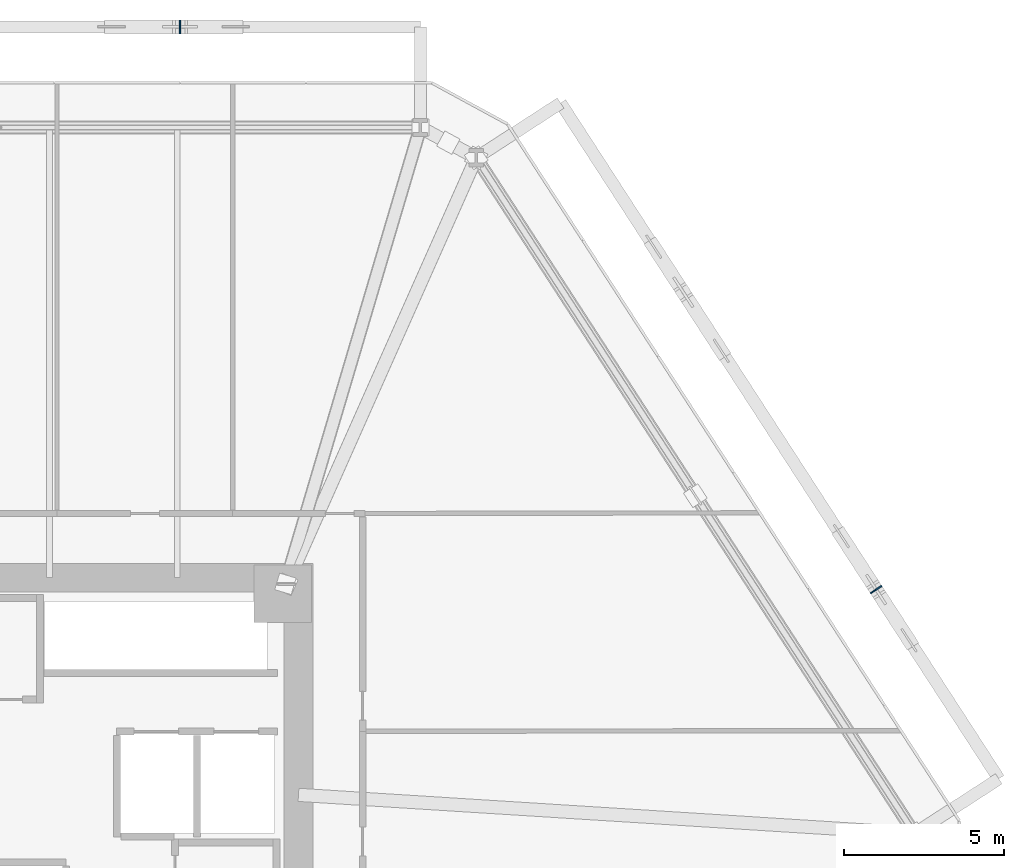
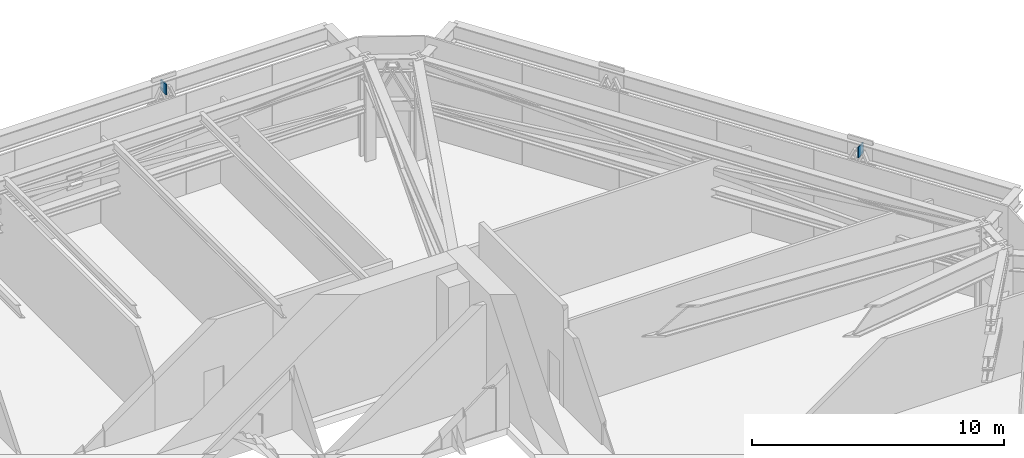
# One storey, part 12 of 16: 2 plates.
"""IFC4 building model written with IfcOpenShell, lengths in metres."""

import ifcopenshell
import ifcopenshell.guid

model = None  # the IFC model being written
_history = None  # IfcOwnerHistory: only IFC2X3 demands one
_inside = {}  # id of a spatial element -> (the spatial element, [elements in it])
_under = {}  # id of a project, library or spatial element -> (it, [spatial elements below it])
_declared = {}  # id of a project -> (the project, [libraries it declares])
_typed = {}  # id of a type object -> (the type object, [elements of that type])
_made_of = {}  # id of a material, layer set ... -> (it, [elements and type objects made of it])


def new_model(schema):
    """Start an empty IFC model of exactly this schema.

    Asked for "IFC4X3", IfcOpenShell would pick the latest addendum, in which some entities
    have other attributes; the version numbers below select the first issue.
    IFC2X3 requires an IfcOwnerHistory on every rooted entity: one is made here for all.
    """
    global model, _history
    if schema == "IFC4X3":
        model = ifcopenshell.file(schema_version=(4, 3, 0, 0))
    else:
        model = ifcopenshell.file(schema=schema)
    _inside.clear()
    _under.clear()
    _declared.clear()
    _typed.clear()
    _made_of.clear()
    _history = None
    if model.schema == "IFC2X3":
        org = make("IfcOrganization", Name="unknown")
        user = make(
            "IfcPersonAndOrganization",
            ThePerson=make("IfcPerson", FamilyName="unknown"),
            TheOrganization=org,
        )
        app = make(
            "IfcApplication",
            ApplicationDeveloper=org,
            Version="unknown",
            ApplicationFullName="unknown",
            ApplicationIdentifier="unknown",
        )
        _history = make(
            "IfcOwnerHistory",
            OwningUser=user,
            OwningApplication=app,
            ChangeAction="ADDED",
            CreationDate=0,
        )
    return model


def make(cls, **values):
    """One entity of the class cls with the attributes given. An attribute that is None is left unset."""
    return model.create_entity(
        cls, **{name: value for name, value in values.items() if value is not None}
    )


def rooted(cls, **values):
    """An entity with a GlobalId (a new one), such as an element, a storey or a relation."""
    return make(cls, GlobalId=ifcopenshell.guid.new(), OwnerHistory=_history, **values)


def si_unit(unit_type, name, prefix=None):
    """IfcSIUnit, for example si_unit("LENGTHUNIT", "METRE", prefix="MILLI")."""
    return make("IfcSIUnit", UnitType=unit_type, Prefix=prefix, Name=name)


def assignment(units):
    """IfcUnitAssignment: the units of a project."""
    return None if units is None else make("IfcUnitAssignment", Units=units)


def point(xyz):
    """IfcCartesianPoint."""
    return None if xyz is None else make("IfcCartesianPoint", Coordinates=xyz)


def direction(xyz):
    """IfcDirection."""
    return None if xyz is None else make("IfcDirection", DirectionRatios=xyz)


def frame(location, z_axis=None, x_axis=None):
    """IfcAxis2Placement3D, a coordinate frame: its origin and axes. An axis left out is left unset."""
    return make(
        "IfcAxis2Placement3D",
        Location=point(location),
        Axis=direction(z_axis),
        RefDirection=direction(x_axis),
    )


def frame_2d(location, x_axis=None):
    """IfcAxis2Placement2D, a coordinate frame in the plane: its origin and x axis."""
    return make(
        "IfcAxis2Placement2D", Location=point(location), RefDirection=direction(x_axis)
    )


def origin():
    """The frame at (0, 0, 0) with its axes left unset."""
    return frame((0.0, 0.0, 0.0))


def origin_2d():
    """The frame at (0, 0) in the plane with its x axis left unset."""
    return frame_2d((0.0, 0.0))


def place(relative_to, where):
    """IfcLocalPlacement: puts the frame where relative to a parent placement (None: the world)."""
    return make(
        "IfcLocalPlacement", PlacementRelTo=relative_to, RelativePlacement=where
    )


def context(
    kind, dimensions, precision=None, world=None, true_north=None, identifier=None
):
    """IfcGeometricRepresentationContext, for example the 3D "Model" context."""
    return make(
        "IfcGeometricRepresentationContext",
        ContextIdentifier=identifier,
        ContextType=kind,
        CoordinateSpaceDimension=dimensions,
        Precision=precision,
        WorldCoordinateSystem=world,
        TrueNorth=true_north,
    )


def subcontext(parent, identifier, kind, view, scale=None):
    """IfcGeometricRepresentationSubContext, for example "Body" below "Model"."""
    return make(
        "IfcGeometricRepresentationSubContext",
        ContextIdentifier=identifier,
        ContextType=kind,
        ParentContext=parent,
        TargetScale=scale,
        TargetView=view,
    )


def project(units=None, contexts=None):
    """IfcProject with its units and contexts."""
    return rooted(
        "IfcProject",
        Name="project",
        RepresentationContexts=contexts,
        UnitsInContext=assignment(units),
    )


def spatial(cls, under=None, at=None, **own):
    """A site, building, storey or space (cls), placed at a placement, below another one or the project."""
    s = rooted(cls, ObjectPlacement=at, **own)
    if under is not None:
        _under.setdefault(under.id(), (under, []))[1].append(s)
    return s


def profile(cls, at=None, kind="AREA", **sizes):
    """A parametric profile (cls). Its sizes go by their IFC names, for example OverallWidth=200.0."""
    return make(cls, ProfileType=kind, Position=at, **sizes)


def rectangle(**sizes):
    """IfcRectangleProfileDef."""
    return profile("IfcRectangleProfileDef", **sizes)


def extrude(swept, where, along, depth):
    """IfcExtrudedAreaSolid: the profile swept, set in the frame where, extruded along a direction by depth."""
    return make(
        "IfcExtrudedAreaSolid",
        SweptArea=swept,
        Position=where,
        ExtrudedDirection=direction(along),
        Depth=depth,
    )


def shape(context_of_items, identifier, shape_type, items):
    """IfcShapeRepresentation: the items that make up one representation, for example the "Body"."""
    return make(
        "IfcShapeRepresentation",
        ContextOfItems=context_of_items,
        RepresentationIdentifier=identifier,
        RepresentationType=shape_type,
        Items=items,
    )


def source(mapping_origin, context_of_items, identifier, shape_type, items):
    """IfcRepresentationMap: a shape defined once, which mapped items show again and again."""
    return make(
        "IfcRepresentationMap",
        MappingOrigin=mapping_origin,
        MappedRepresentation=shape(context_of_items, identifier, shape_type, items),
    )


def transform(
    local_origin,
    x_axis=None,
    y_axis=None,
    z_axis=None,
    scale=None,
    scale2=None,
    scale3=None,
    uniform=True,
):
    """IfcCartesianTransformationOperator3D, or its non-uniform kind. x_axis, y_axis, z_axis: its Axis1, 2, 3."""
    if uniform:
        return make(
            "IfcCartesianTransformationOperator3D",
            Axis1=direction(x_axis),
            Axis2=direction(y_axis),
            LocalOrigin=point(local_origin),
            Scale=scale,
            Axis3=direction(z_axis),
        )
    return make(
        "IfcCartesianTransformationOperator3DnonUniform",
        Axis1=direction(x_axis),
        Axis2=direction(y_axis),
        LocalOrigin=point(local_origin),
        Scale=scale,
        Axis3=direction(z_axis),
        Scale2=scale2,
        Scale3=scale3,
    )


def mapped(mapping_source, mapping_target):
    """IfcMappedItem: shows the shape of a source again, moved by a transform."""
    return make(
        "IfcMappedItem", MappingSource=mapping_source, MappingTarget=mapping_target
    )


def material(Name=None, Category=None):
    """IfcMaterial."""
    return make("IfcMaterial", Name=Name, Category=Category)


def layer(
    of_material, thickness, ventilated=None, Name=None, Category=None, Priority=None
):
    """IfcMaterialLayer: one layer of a wall or slab, of a material (None: an air gap)."""
    return make(
        "IfcMaterialLayer",
        Material=of_material,
        LayerThickness=thickness,
        IsVentilated=ventilated,
        Name=Name,
        Category=Category,
        Priority=Priority,
    )


def layer_set(layers, Name=None):
    """IfcMaterialLayerSet."""
    return make("IfcMaterialLayerSet", MaterialLayers=layers, LayerSetName=Name)


def made_of(thing, what):
    """Note that an element or type object is made of a material, layer set ...; save() writes the relation."""
    if what is not None:
        _made_of.setdefault(what.id(), (what, []))[1].append(thing)
    return thing


def type_object(cls, material=None, **own):
    """A type object (cls), such as IfcWallType, which elements share."""
    return made_of(rooted(cls, **own), material)


def type_shapes(of_type, sources):
    """Give a type object the sources (RepresentationMaps) that its elements show as mapped items."""
    of_type.RepresentationMaps = sources


def element(
    cls,
    number,
    at=None,
    inside=None,
    cuts=None,
    type_object=None,
    material=None,
    context=None,
    identifier="Body",
    shape_type=None,
    held_by="IfcProductDefinitionShape",
    body=None,
    shapes=None,
    **own,
):
    """One element of the class cls, such as IfcWall. Its Tag is "e" and its number.

    at: its placement. inside: the storey or other place that contains it. cuts: it is an
    opening in that element (IfcRelVoidsElement). A single representation is given by context,
    identifier, shape_type and body (its items); several are given by shapes. held_by: the class
    of the entity that holds the representations. save() writes the other relations.
    """
    e = rooted(cls, Tag="e%d" % number, ObjectPlacement=at, **own)
    if body is not None:
        shapes = [shape(context, identifier, shape_type, body)]
    if shapes is not None:
        e.Representation = make(held_by, Representations=shapes)
    if inside is not None:
        _inside.setdefault(inside.id(), (inside, []))[1].append(e)
    if cuts is not None:
        rooted(
            "IfcRelVoidsElement", RelatingBuildingElement=cuts, RelatedOpeningElement=e
        )
    if type_object is not None:
        _typed.setdefault(type_object.id(), (type_object, []))[1].append(e)
    return made_of(e, material)


def aggregate(whole, parts):
    """IfcRelAggregates: a whole, such as a stair, and the parts it consists of."""
    return rooted("IfcRelAggregates", RelatingObject=whole, RelatedObjects=parts)


def save(model, path):
    """Write the relations noted so far, then the file.

    IfcRelAggregates (storeys below a building ...), IfcRelContainedInSpatialStructure (elements
    in a storey), IfcRelDefinesByType, IfcRelAssociatesMaterial and IfcRelDeclares: one each for
    every whole, place, type object, material and project.
    """
    for whole, parts in _under.values():
        aggregate(whole, parts)
    for where, things in _inside.values():
        rooted(
            "IfcRelContainedInSpatialStructure",
            RelatedElements=things,
            RelatingStructure=where,
        )
    for kind, things in _typed.values():
        rooted("IfcRelDefinesByType", RelatedObjects=things, RelatingType=kind)
    for what, things in _made_of.values():
        rooted("IfcRelAssociatesMaterial", RelatedObjects=things, RelatingMaterial=what)
    for by, libraries in _declared.values():
        rooted("IfcRelDeclares", RelatingContext=by, RelatedDefinitions=libraries)
    model.write(path)


model = new_model("IFC4")

# Units and contexts
model_context = context("Model", 3, precision=1e-05, world=origin(), true_north=direction((0.0, 1.0)))
body_context = subcontext(model_context, "Body", "Model", "MODEL_VIEW")
ifc_project = project(units=[si_unit("LENGTHUNIT", "METRE"), si_unit("AREAUNIT", "SQUARE_METRE"), si_unit("VOLUMEUNIT", "CUBIC_METRE"), si_unit("PLANEANGLEUNIT", "RADIAN"), si_unit("MASSUNIT", "GRAM", prefix="KILO")], contexts=[model_context])

# Site, building, storey
site_placement = place(None, origin())
site = spatial("IfcSite", under=ifc_project, at=site_placement, CompositionType="ELEMENT")
building_placement = place(site_placement, origin())
building = spatial("IfcBuilding", under=site, at=building_placement, Name="Durnholm Broadcast Tower", CompositionType="ELEMENT")
storey_placement = place(building_placement, frame((0.0, 0.0, 10.39990234375)))
storey = spatial("IfcBuildingStorey", under=building, at=storey_placement, Name="L02", CompositionType="ELEMENT", Elevation=10.39990234375)

# Plates
ifc_material = material(Name="Steel ASTM A572 Grade 50", Category="steel")
ifc_layer = layer(ifc_material, 0.044921875)
ifc_layer_set = layer_set([ifc_layer], Name="Steel ASTM A572 Grade 50")
plate_type = type_object("IfcPlateType", Name="PLT-KN-STIF", PredefinedType="SHEET", material=ifc_layer_set)
shared_shape = source(origin(), body_context, "Body", "SweptSolid", [
    extrude(rectangle(XDim=0.044921875, YDim=0.419921875, at=origin_2d()), origin(), (0.0, 0.0, 1.0), 0.52001953125),
])
type_shapes(plate_type, [shared_shape])
for number, where, z_axis, x_axis, name in (
    (1, (28.390625, 7.927978515625, 3.86865234375), (0.0, 0.0, 1.0), (-0.544053399827, 0.839050593311, 0.0), "L02 welded diagrid node stiffener plate F3"),
    (2, (6.58984375, 25.550048828125, 3.86865234375), (0.0, 0.0, 1.0), (-1.0, 0.0, 0.0), "L02 welded diagrid node stiffener plate F4"),
):
    element("IfcPlate", number, at=place(storey_placement, frame(where, z_axis=z_axis, x_axis=x_axis)), inside=storey, type_object=plate_type, Name=name, PredefinedType="SHEET", context=body_context, shape_type="MappedRepresentation", body=[
        mapped(shared_shape, transform((0.0, 0.0, 0.0), x_axis=(1.0, 0.0, 0.0), y_axis=(0.0, 1.0, 0.0), z_axis=(0.0, 0.0, 1.0), scale=1.0)),
    ])

save(model, "model.ifc")
